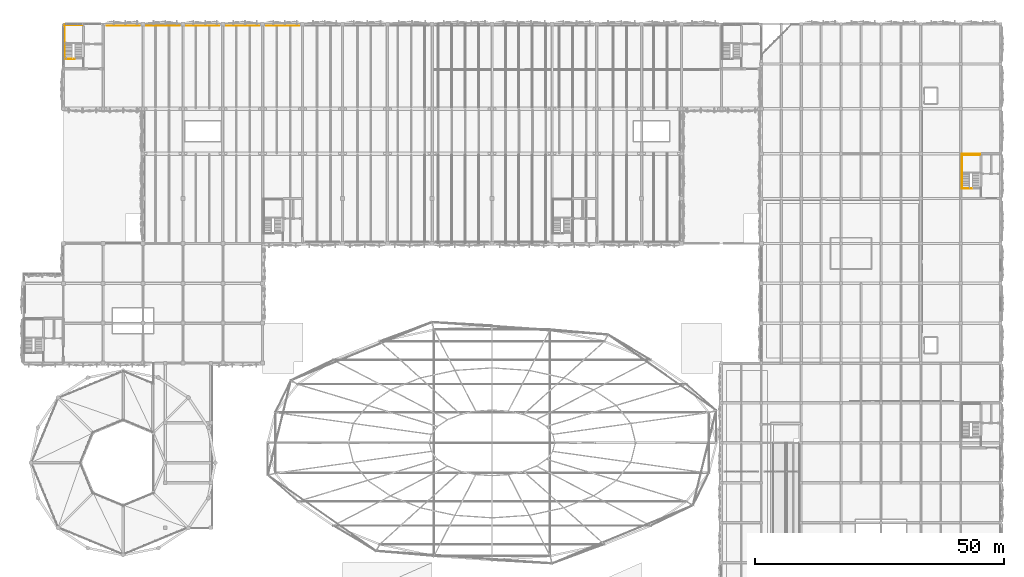
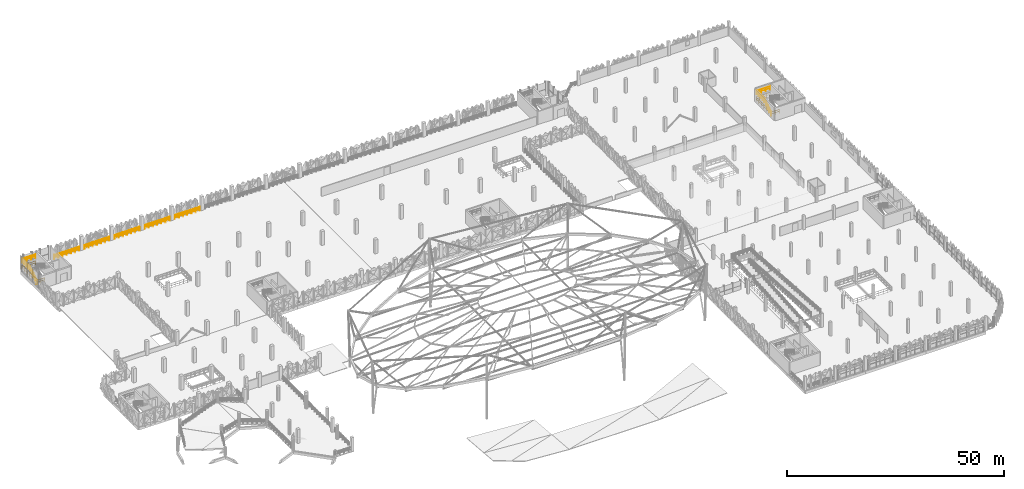
# One storey, part 94 of 96: 9 railings.
"""IFC4 building model written with IfcOpenShell, lengths in metres."""

from ifc_helpers import new_model, si_unit, derived_unit, direction, frame, origin, origin_2d, place, context, subcontext, project, spatial, circle, extrude, material, type_object, element, save


model = new_model("IFC4")

# Units and contexts
model_context = context("Model", 3, precision=1e-05, world=origin(), true_north=direction((0.0, 1.0)))
body_context = subcontext(model_context, "Body", "Model", "MODEL_VIEW")
ifc_project = project(units=[si_unit("LENGTHUNIT", "METRE"), si_unit("AREAUNIT", "SQUARE_METRE"), si_unit("VOLUMEUNIT", "CUBIC_METRE"), si_unit("PLANEANGLEUNIT", "RADIAN"), si_unit("MASSUNIT", "GRAM", prefix="KILO"), si_unit("THERMODYNAMICTEMPERATUREUNIT", "KELVIN"), derived_unit("THERMALTRANSMITTANCEUNIT", [(si_unit("POWERUNIT", "WATT"), 1), (si_unit("AREAUNIT", "SQUARE_METRE"), -1), (si_unit("THERMODYNAMICTEMPERATUREUNIT", "KELVIN"), -1)])], contexts=[model_context])

# Site, building, storey
site_placement = place(None, origin())
site = spatial("IfcSite", under=ifc_project, at=site_placement, CompositionType="ELEMENT")
building_placement = place(site_placement, origin())
building = spatial("IfcBuilding", under=site, at=building_placement, Name="Haiyu Intermodal Mobility Hub", CompositionType="ELEMENT")
storey_placement = place(building_placement, frame((0.0, 0.0, 9.5)))
storey = spatial("IfcBuildingStorey", under=building, at=storey_placement, Name="L02", CompositionType="ELEMENT", Elevation=9.5)

# Railings
ifc_material = material(Name="Steel Q355C", Category="steel")
railing_type_1 = type_object("IfcRailingType", Name="RAL-GR01", PredefinedType="GUARDRAIL", material=ifc_material)
railing_1_placement = place(storey_placement, frame((37.300048828125, 147.659912109375, 0.0)))
element("IfcRailing", 1, at=railing_1_placement, inside=storey, type_object=railing_type_1, Name="RAL-CAR-N-0010", PredefinedType="GUARDRAIL", context=body_context, shape_type="SweptSolid", body=[
    extrude(circle(Radius=0.02392578125, at=origin_2d()), frame((-0.030029296875, 0.0, 1.17578125), z_axis=(-1.0, 0.0, 0.0), x_axis=(0.0, -1.0, 0.0)), (0.0, 0.0, 1.0), 6.5400390625),
    extrude(circle(Radius=0.02392578125, at=origin_2d()), frame((-0.037353515625, 0.0, 0.60009765625), z_axis=(-1.0, 0.0, 0.0), x_axis=(0.0, -1.0, 0.0)), (0.0, 0.0, 1.0), 1.025390625),
    extrude(circle(Radius=0.02392578125, at=origin_2d()), frame((-1.13720703125, 0.0, 0.60009765625), z_axis=(-1.0, 0.0, 0.0), x_axis=(0.0, -1.0, 0.0)), (0.0, 0.0, 1.0), 1.025390625),
    extrude(circle(Radius=0.02392578125, at=origin_2d()), frame((-2.2373046875, 0.0, 0.60009765625), z_axis=(-1.0, 0.0, 0.0), x_axis=(0.0, -1.0, 0.0)), (0.0, 0.0, 1.0), 1.025390625),
    extrude(circle(Radius=0.02392578125, at=origin_2d()), frame((-3.33740234375, 0.0, 0.60009765625), z_axis=(-1.0, 0.0, 0.0), x_axis=(0.0, -1.0, 0.0)), (0.0, 0.0, 1.0), 1.025390625),
    extrude(circle(Radius=0.02392578125, at=origin_2d()), frame((-4.437255859375, 0.0, 0.60009765625), z_axis=(-1.0, 0.0, 0.0), x_axis=(0.0, -1.0, 0.0)), (0.0, 0.0, 1.0), 1.025390625),
    extrude(circle(Radius=0.02392578125, at=origin_2d()), frame((-5.537353515625, 0.0, 0.60009765625), z_axis=(-1.0, 0.0, 0.0), x_axis=(0.0, -1.0, 0.0)), (0.0, 0.0, 1.0), 1.025390625),
    extrude(circle(Radius=0.02099609375, at=origin_2d()), origin(), (0.0, 0.0, 1.0), 1.143798828125),
    extrude(circle(Radius=0.02099609375, at=origin_2d()), frame((-1.10009765625, 0.0, 0.0)), (0.0, 0.0, 1.0), 1.143798828125),
    extrude(circle(Radius=0.02099609375, at=origin_2d()), frame((-2.199951171875, 0.0, 0.0)), (0.0, 0.0, 1.0), 1.143798828125),
    extrude(circle(Radius=0.02099609375, at=origin_2d()), frame((-3.300048828125, 0.0, 0.0)), (0.0, 0.0, 1.0), 1.143798828125),
    extrude(circle(Radius=0.02099609375, at=origin_2d()), frame((-4.400146484375, 0.0, 0.0)), (0.0, 0.0, 1.0), 1.143798828125),
    extrude(circle(Radius=0.02099609375, at=origin_2d()), frame((-5.5, 0.0, 0.0)), (0.0, 0.0, 1.0), 1.143798828125),
    extrude(circle(Radius=0.02099609375, at=origin_2d()), frame((-6.60009765625, 0.0, 0.0)), (0.0, 0.0, 1.0), 1.143798828125),
])
railing_2_placement = place(storey_placement, frame((45.300048828125, 147.659912109375, 0.0)))
element("IfcRailing", 2, at=railing_2_placement, inside=storey, type_object=railing_type_1, Name="RAL-CAR-N-0015", PredefinedType="GUARDRAIL", context=body_context, shape_type="SweptSolid", body=[
    extrude(circle(Radius=0.02392578125, at=origin_2d()), frame((-0.030029296875, 0.0, 1.17578125), z_axis=(-1.0, 0.0, 0.0), x_axis=(0.0, -1.0, 0.0)), (0.0, 0.0, 1.0), 6.5400390625),
    extrude(circle(Radius=0.02392578125, at=origin_2d()), frame((-0.037353515625, 0.0, 0.60009765625), z_axis=(-1.0, 0.0, 0.0), x_axis=(0.0, -1.0, 0.0)), (0.0, 0.0, 1.0), 1.025390625),
    extrude(circle(Radius=0.02392578125, at=origin_2d()), frame((-1.13720703125, 0.0, 0.60009765625), z_axis=(-1.0, 0.0, 0.0), x_axis=(0.0, -1.0, 0.0)), (0.0, 0.0, 1.0), 1.025390625),
    extrude(circle(Radius=0.02392578125, at=origin_2d()), frame((-2.2373046875, 0.0, 0.60009765625), z_axis=(-1.0, 0.0, 0.0), x_axis=(0.0, -1.0, 0.0)), (0.0, 0.0, 1.0), 1.025390625),
    extrude(circle(Radius=0.02392578125, at=origin_2d()), frame((-3.33740234375, 0.0, 0.60009765625), z_axis=(-1.0, 0.0, 0.0), x_axis=(0.0, -1.0, 0.0)), (0.0, 0.0, 1.0), 1.025390625),
    extrude(circle(Radius=0.02392578125, at=origin_2d()), frame((-4.437255859375, 0.0, 0.60009765625), z_axis=(-1.0, 0.0, 0.0), x_axis=(0.0, -1.0, 0.0)), (0.0, 0.0, 1.0), 1.025390625),
    extrude(circle(Radius=0.02392578125, at=origin_2d()), frame((-5.537353515625, 0.0, 0.60009765625), z_axis=(-1.0, 0.0, 0.0), x_axis=(0.0, -1.0, 0.0)), (0.0, 0.0, 1.0), 1.025390625),
    extrude(circle(Radius=0.02099609375, at=origin_2d()), origin(), (0.0, 0.0, 1.0), 1.143798828125),
    extrude(circle(Radius=0.02099609375, at=origin_2d()), frame((-1.10009765625, 0.0, 0.0)), (0.0, 0.0, 1.0), 1.143798828125),
    extrude(circle(Radius=0.02099609375, at=origin_2d()), frame((-2.199951171875, 0.0, 0.0)), (0.0, 0.0, 1.0), 1.143798828125),
    extrude(circle(Radius=0.02099609375, at=origin_2d()), frame((-3.300048828125, 0.0, 0.0)), (0.0, 0.0, 1.0), 1.143798828125),
    extrude(circle(Radius=0.02099609375, at=origin_2d()), frame((-4.400146484375, 0.0, 0.0)), (0.0, 0.0, 1.0), 1.143798828125),
    extrude(circle(Radius=0.02099609375, at=origin_2d()), frame((-5.5, 0.0, 0.0)), (0.0, 0.0, 1.0), 1.143798828125),
    extrude(circle(Radius=0.02099609375, at=origin_2d()), frame((-6.60009765625, 0.0, 0.0)), (0.0, 0.0, 1.0), 1.143798828125),
])
railing_3_placement = place(storey_placement, frame((53.300048828125, 147.659912109375, 0.0)))
element("IfcRailing", 3, at=railing_3_placement, inside=storey, type_object=railing_type_1, Name="RAL-CAR-N-0021", PredefinedType="GUARDRAIL", context=body_context, shape_type="SweptSolid", body=[
    extrude(circle(Radius=0.02392578125, at=origin_2d()), frame((-0.030029296875, 0.0, 1.17578125), z_axis=(-1.0, 0.0, 0.0), x_axis=(0.0, -1.0, 0.0)), (0.0, 0.0, 1.0), 6.5400390625),
    extrude(circle(Radius=0.02392578125, at=origin_2d()), frame((-0.037353515625, 0.0, 0.60009765625), z_axis=(-1.0, 0.0, 0.0), x_axis=(0.0, -1.0, 0.0)), (0.0, 0.0, 1.0), 1.025390625),
    extrude(circle(Radius=0.02392578125, at=origin_2d()), frame((-1.13720703125, 0.0, 0.60009765625), z_axis=(-1.0, 0.0, 0.0), x_axis=(0.0, -1.0, 0.0)), (0.0, 0.0, 1.0), 1.025390625),
    extrude(circle(Radius=0.02392578125, at=origin_2d()), frame((-2.2373046875, 0.0, 0.60009765625), z_axis=(-1.0, 0.0, 0.0), x_axis=(0.0, -1.0, 0.0)), (0.0, 0.0, 1.0), 1.025390625),
    extrude(circle(Radius=0.02392578125, at=origin_2d()), frame((-3.33740234375, 0.0, 0.60009765625), z_axis=(-1.0, 0.0, 0.0), x_axis=(0.0, -1.0, 0.0)), (0.0, 0.0, 1.0), 1.025390625),
    extrude(circle(Radius=0.02392578125, at=origin_2d()), frame((-4.437255859375, 0.0, 0.60009765625), z_axis=(-1.0, 0.0, 0.0), x_axis=(0.0, -1.0, 0.0)), (0.0, 0.0, 1.0), 1.025390625),
    extrude(circle(Radius=0.02392578125, at=origin_2d()), frame((-5.537353515625, 0.0, 0.60009765625), z_axis=(-1.0, 0.0, 0.0), x_axis=(0.0, -1.0, 0.0)), (0.0, 0.0, 1.0), 1.025390625),
    extrude(circle(Radius=0.02099609375, at=origin_2d()), origin(), (0.0, 0.0, 1.0), 1.143798828125),
    extrude(circle(Radius=0.02099609375, at=origin_2d()), frame((-1.10009765625, 0.0, 0.0)), (0.0, 0.0, 1.0), 1.143798828125),
    extrude(circle(Radius=0.02099609375, at=origin_2d()), frame((-2.199951171875, 0.0, 0.0)), (0.0, 0.0, 1.0), 1.143798828125),
    extrude(circle(Radius=0.02099609375, at=origin_2d()), frame((-3.300048828125, 0.0, 0.0)), (0.0, 0.0, 1.0), 1.143798828125),
    extrude(circle(Radius=0.02099609375, at=origin_2d()), frame((-4.400146484375, 0.0, 0.0)), (0.0, 0.0, 1.0), 1.143798828125),
    extrude(circle(Radius=0.02099609375, at=origin_2d()), frame((-5.5, 0.0, 0.0)), (0.0, 0.0, 1.0), 1.143798828125),
    extrude(circle(Radius=0.02099609375, at=origin_2d()), frame((-6.60009765625, 0.0, 0.0)), (0.0, 0.0, 1.0), 1.143798828125),
])
railing_4_placement = place(storey_placement, frame((61.300048828125, 147.659912109375, 0.0)))
element("IfcRailing", 4, at=railing_4_placement, inside=storey, type_object=railing_type_1, Name="RAL-CAR-N-0026", PredefinedType="GUARDRAIL", context=body_context, shape_type="SweptSolid", body=[
    extrude(circle(Radius=0.02392578125, at=origin_2d()), frame((-0.030029296875, 0.0, 1.17578125), z_axis=(-1.0, 0.0, 0.0), x_axis=(0.0, -1.0, 0.0)), (0.0, 0.0, 1.0), 6.5400390625),
    extrude(circle(Radius=0.02392578125, at=origin_2d()), frame((-0.037353515625, 0.0, 0.60009765625), z_axis=(-1.0, 0.0, 0.0), x_axis=(0.0, -1.0, 0.0)), (0.0, 0.0, 1.0), 1.025390625),
    extrude(circle(Radius=0.02392578125, at=origin_2d()), frame((-1.13720703125, 0.0, 0.60009765625), z_axis=(-1.0, 0.0, 0.0), x_axis=(0.0, -1.0, 0.0)), (0.0, 0.0, 1.0), 1.025390625),
    extrude(circle(Radius=0.02392578125, at=origin_2d()), frame((-2.2373046875, 0.0, 0.60009765625), z_axis=(-1.0, 0.0, 0.0), x_axis=(0.0, -1.0, 0.0)), (0.0, 0.0, 1.0), 1.025390625),
    extrude(circle(Radius=0.02392578125, at=origin_2d()), frame((-3.33740234375, 0.0, 0.60009765625), z_axis=(-1.0, 0.0, 0.0), x_axis=(0.0, -1.0, 0.0)), (0.0, 0.0, 1.0), 1.025390625),
    extrude(circle(Radius=0.02392578125, at=origin_2d()), frame((-4.437255859375, 0.0, 0.60009765625), z_axis=(-1.0, 0.0, 0.0), x_axis=(0.0, -1.0, 0.0)), (0.0, 0.0, 1.0), 1.025390625),
    extrude(circle(Radius=0.02392578125, at=origin_2d()), frame((-5.537353515625, 0.0, 0.60009765625), z_axis=(-1.0, 0.0, 0.0), x_axis=(0.0, -1.0, 0.0)), (0.0, 0.0, 1.0), 1.025390625),
    extrude(circle(Radius=0.02099609375, at=origin_2d()), origin(), (0.0, 0.0, 1.0), 1.143798828125),
    extrude(circle(Radius=0.02099609375, at=origin_2d()), frame((-1.10009765625, 0.0, 0.0)), (0.0, 0.0, 1.0), 1.143798828125),
    extrude(circle(Radius=0.02099609375, at=origin_2d()), frame((-2.199951171875, 0.0, 0.0)), (0.0, 0.0, 1.0), 1.143798828125),
    extrude(circle(Radius=0.02099609375, at=origin_2d()), frame((-3.300048828125, 0.0, 0.0)), (0.0, 0.0, 1.0), 1.143798828125),
    extrude(circle(Radius=0.02099609375, at=origin_2d()), frame((-4.400146484375, 0.0, 0.0)), (0.0, 0.0, 1.0), 1.143798828125),
    extrude(circle(Radius=0.02099609375, at=origin_2d()), frame((-5.5, 0.0, 0.0)), (0.0, 0.0, 1.0), 1.143798828125),
    extrude(circle(Radius=0.02099609375, at=origin_2d()), frame((-6.60009765625, 0.0, 0.0)), (0.0, 0.0, 1.0), 1.143798828125),
])
railing_5_placement = place(storey_placement, frame((69.300048828125, 147.659912109375, 0.0)))
element("IfcRailing", 5, at=railing_5_placement, inside=storey, type_object=railing_type_1, Name="RAL-CAR-N-0031", PredefinedType="GUARDRAIL", context=body_context, shape_type="SweptSolid", body=[
    extrude(circle(Radius=0.02392578125, at=origin_2d()), frame((-0.030029296875, 0.0, 1.17578125), z_axis=(-1.0, 0.0, 0.0), x_axis=(0.0, -1.0, 0.0)), (0.0, 0.0, 1.0), 6.5400390625),
    extrude(circle(Radius=0.02392578125, at=origin_2d()), frame((-0.037353515625, 0.0, 0.60009765625), z_axis=(-1.0, 0.0, 0.0), x_axis=(0.0, -1.0, 0.0)), (0.0, 0.0, 1.0), 1.025390625),
    extrude(circle(Radius=0.02392578125, at=origin_2d()), frame((-1.13720703125, 0.0, 0.60009765625), z_axis=(-1.0, 0.0, 0.0), x_axis=(0.0, -1.0, 0.0)), (0.0, 0.0, 1.0), 1.025390625),
    extrude(circle(Radius=0.02392578125, at=origin_2d()), frame((-2.2373046875, 0.0, 0.60009765625), z_axis=(-1.0, 0.0, 0.0), x_axis=(0.0, -1.0, 0.0)), (0.0, 0.0, 1.0), 1.025390625),
    extrude(circle(Radius=0.02392578125, at=origin_2d()), frame((-3.33740234375, 0.0, 0.60009765625), z_axis=(-1.0, 0.0, 0.0), x_axis=(0.0, -1.0, 0.0)), (0.0, 0.0, 1.0), 1.025390625),
    extrude(circle(Radius=0.02392578125, at=origin_2d()), frame((-4.437255859375, 0.0, 0.60009765625), z_axis=(-1.0, 0.0, 0.0), x_axis=(0.0, -1.0, 0.0)), (0.0, 0.0, 1.0), 1.025390625),
    extrude(circle(Radius=0.02392578125, at=origin_2d()), frame((-5.537353515625, 0.0, 0.60009765625), z_axis=(-1.0, 0.0, 0.0), x_axis=(0.0, -1.0, 0.0)), (0.0, 0.0, 1.0), 1.025390625),
    extrude(circle(Radius=0.02099609375, at=origin_2d()), origin(), (0.0, 0.0, 1.0), 1.143798828125),
    extrude(circle(Radius=0.02099609375, at=origin_2d()), frame((-1.10009765625, 0.0, 0.0)), (0.0, 0.0, 1.0), 1.143798828125),
    extrude(circle(Radius=0.02099609375, at=origin_2d()), frame((-2.199951171875, 0.0, 0.0)), (0.0, 0.0, 1.0), 1.143798828125),
    extrude(circle(Radius=0.02099609375, at=origin_2d()), frame((-3.300048828125, 0.0, 0.0)), (0.0, 0.0, 1.0), 1.143798828125),
    extrude(circle(Radius=0.02099609375, at=origin_2d()), frame((-4.400146484375, 0.0, 0.0)), (0.0, 0.0, 1.0), 1.143798828125),
    extrude(circle(Radius=0.02099609375, at=origin_2d()), frame((-5.5, 0.0, 0.0)), (0.0, 0.0, 1.0), 1.143798828125),
    extrude(circle(Radius=0.02099609375, at=origin_2d()), frame((-6.60009765625, 0.0, 0.0)), (0.0, 0.0, 1.0), 1.143798828125),
])
railing_type_2 = type_object("IfcRailingType", Name="RAL-GR03", PredefinedType="GUARDRAIL", material=ifc_material)
railing_6_placement = place(storey_placement, frame((24.31005859375, 141.010009765625, 0.0)))
element("IfcRailing", 6, at=railing_6_placement, inside=storey, type_object=railing_type_2, Name="Stair Shaft Floor Guard STR-C3-L01", PredefinedType="GUARDRAIL", context=body_context, shape_type="SweptSolid", body=[
    extrude(circle(Radius=0.02392578125, at=origin_2d()), frame((-0.030029296875, 0.0, 1.09619140625), z_axis=(-1.0, 0.0, 0.0), x_axis=(0.0, -1.0, 0.0)), (0.0, 0.0, 1.0), 2.030029296875),
    extrude(circle(Radius=0.02392578125, at=origin_2d()), frame((-0.037353515625, 0.0, 0.56005859375), z_axis=(-1.0, 0.0, 0.0), x_axis=(0.0, -1.0, 0.0)), (0.0, 0.0, 1.0), 0.970458984375),
    extrude(circle(Radius=0.02392578125, at=origin_2d()), frame((-1.082275390625, 0.0, 0.56005859375), z_axis=(-1.0, 0.0, 0.0), x_axis=(0.0, -1.0, 0.0)), (0.0, 0.0, 1.0), 0.970458984375),
    extrude(circle(Radius=0.02392578125, at=origin_2d()), frame((-2.090087890625, 0.030029296875, 1.09619140625), z_axis=(0.0, 1.0, 0.0), x_axis=(-1.0, 0.0, 0.0)), (0.0, 0.0, 1.0), 6.8798828125),
    extrude(circle(Radius=0.02392578125, at=origin_2d()), frame((-2.090087890625, 0.037353515625, 0.56005859375), z_axis=(0.0, 1.0, 0.0), x_axis=(-1.0, 0.0, 0.0)), (0.0, 0.0, 1.0), 1.08203125),
    extrude(circle(Radius=0.02392578125, at=origin_2d()), frame((-2.090087890625, 1.19384765625, 0.56005859375), z_axis=(0.0, 1.0, 0.0), x_axis=(-1.0, 0.0, 0.0)), (0.0, 0.0, 1.0), 1.08203125),
    extrude(circle(Radius=0.02392578125, at=origin_2d()), frame((-2.090087890625, 2.3505859375, 0.56005859375), z_axis=(0.0, 1.0, 0.0), x_axis=(-1.0, 0.0, 0.0)), (0.0, 0.0, 1.0), 1.08203125),
    extrude(circle(Radius=0.02392578125, at=origin_2d()), frame((-2.090087890625, 3.50732421875, 0.56005859375), z_axis=(0.0, 1.0, 0.0), x_axis=(-1.0, 0.0, 0.0)), (0.0, 0.0, 1.0), 1.08203125),
    extrude(circle(Radius=0.02392578125, at=origin_2d()), frame((-2.090087890625, 4.663818359375, 0.56005859375), z_axis=(0.0, 1.0, 0.0), x_axis=(-1.0, 0.0, 0.0)), (0.0, 0.0, 1.0), 1.08203125),
    extrude(circle(Radius=0.02392578125, at=origin_2d()), frame((-2.090087890625, 5.820556640625, 0.56005859375), z_axis=(0.0, 1.0, 0.0), x_axis=(-1.0, 0.0, 0.0)), (0.0, 0.0, 1.0), 1.08203125),
    extrude(circle(Radius=0.02392578125, at=origin_2d()), frame((-2.06005859375, 6.93994140625, 1.09619140625), z_axis=(1.0, 0.0, 0.0), x_axis=(0.0, 1.0, 0.0)), (0.0, 0.0, 1.0), 3.590087890625),
    extrude(circle(Radius=0.02392578125, at=origin_2d()), frame((-2.052734375, 6.93994140625, 0.56005859375), z_axis=(1.0, 0.0, 0.0), x_axis=(0.0, 1.0, 0.0)), (0.0, 0.0, 1.0), 0.837890625),
    extrude(circle(Radius=0.02392578125, at=origin_2d()), frame((-1.14013671875, 6.93994140625, 0.56005859375), z_axis=(1.0, 0.0, 0.0), x_axis=(0.0, 1.0, 0.0)), (0.0, 0.0, 1.0), 0.837890625),
    extrude(circle(Radius=0.02392578125, at=origin_2d()), frame((-0.227783203125, 6.93994140625, 0.56005859375), z_axis=(1.0, 0.0, 0.0), x_axis=(0.0, 1.0, 0.0)), (0.0, 0.0, 1.0), 0.837890625),
    extrude(circle(Radius=0.02392578125, at=origin_2d()), frame((0.684814453125, 6.93994140625, 0.56005859375), z_axis=(1.0, 0.0, 0.0), x_axis=(0.0, 1.0, 0.0)), (0.0, 0.0, 1.0), 0.837890625),
    extrude(circle(Radius=0.02099609375, at=origin_2d()), origin(), (0.0, 0.0, 1.0), 1.06396484375),
    extrude(circle(Radius=0.02099609375, at=origin_2d()), frame((-1.044921875, 0.0, 0.0)), (0.0, 0.0, 1.0), 1.06396484375),
    extrude(circle(Radius=0.02099609375, at=origin_2d()), frame((-2.090087890625, 0.0, 0.0)), (0.0, 0.0, 1.0), 1.06396484375),
    extrude(circle(Radius=0.02099609375, at=origin_2d()), frame((-2.090087890625, 1.15673828125, 0.0)), (0.0, 0.0, 1.0), 1.06396484375),
    extrude(circle(Radius=0.02099609375, at=origin_2d()), frame((-2.090087890625, 2.313232421875, 0.0)), (0.0, 0.0, 1.0), 1.06396484375),
    extrude(circle(Radius=0.02099609375, at=origin_2d()), frame((-2.090087890625, 3.469970703125, 0.0)), (0.0, 0.0, 1.0), 1.06396484375),
    extrude(circle(Radius=0.02099609375, at=origin_2d()), frame((-2.090087890625, 4.626708984375, 0.0)), (0.0, 0.0, 1.0), 1.06396484375),
    extrude(circle(Radius=0.02099609375, at=origin_2d()), frame((-2.090087890625, 5.783203125, 0.0)), (0.0, 0.0, 1.0), 1.06396484375),
    extrude(circle(Radius=0.02099609375, at=origin_2d()), frame((-2.090087890625, 6.93994140625, 0.0)), (0.0, 0.0, 1.0), 1.06396484375),
    extrude(circle(Radius=0.02099609375, at=origin_2d()), frame((-1.177490234375, 6.93994140625, 0.0)), (0.0, 0.0, 1.0), 1.06396484375),
    extrude(circle(Radius=0.02099609375, at=origin_2d()), frame((-0.26513671875, 6.93994140625, 0.0)), (0.0, 0.0, 1.0), 1.06396484375),
    extrude(circle(Radius=0.02099609375, at=origin_2d()), frame((0.6474609375, 6.93994140625, 0.0)), (0.0, 0.0, 1.0), 1.06396484375),
    extrude(circle(Radius=0.02099609375, at=origin_2d()), frame((1.56005859375, 6.93994140625, 0.0)), (0.0, 0.0, 1.0), 1.06396484375),
])
railing_7_placement = place(storey_placement, frame((22.25, 141.050048828125, 0.0)))
element("IfcRailing", 7, at=railing_7_placement, inside=storey, type_object=railing_type_2, Name="Stair Outer Guard STR-C3-L02", PredefinedType="GUARDRAIL", context=body_context, shape_type="SweptSolid", body=[
    extrude(circle(Radius=0.02392578125, at=origin_2d()), frame((0.0, 0.025390625, 1.112060546875), z_axis=(0.0, 0.844894753029, 0.534932571736), x_axis=(-1.0, 0.0, 0.0)), (0.0, 0.0, 1.0), 3.585205078125),
    extrude(circle(Radius=0.02392578125, at=origin_2d()), frame((0.0, 0.031494140625, 0.580078125), z_axis=(0.0, 0.844894753029, 0.534932571736), x_axis=(-1.0, 0.0, 0.0)), (0.0, 0.0, 1.0), 0.836669921875),
    extrude(circle(Radius=0.02392578125, at=origin_2d()), frame((0.0, 0.801513671875, 1.0673828125), z_axis=(0.0, 0.844894753029, 0.534932571736), x_axis=(-1.0, 0.0, 0.0)), (0.0, 0.0, 1.0), 0.836669921875),
    extrude(circle(Radius=0.02392578125, at=origin_2d()), frame((0.0, 1.571533203125, 1.554931640625), z_axis=(0.0, 0.844894753029, 0.534932571736), x_axis=(-1.0, 0.0, 0.0)), (0.0, 0.0, 1.0), 0.836669921875),
    extrude(circle(Radius=0.02392578125, at=origin_2d()), frame((0.0, 2.34130859375, 2.04248046875), z_axis=(0.0, 0.844894753029, 0.534932571736), x_axis=(-1.0, 0.0, 0.0)), (0.0, 0.0, 1.0), 0.836669921875),
    extrude(circle(Radius=0.02392578125, at=origin_2d()), frame((0.0, 3.10986328125, 3.0458984375), z_axis=(0.0, 1.0, 0.0), x_axis=(-1.0, 0.0, 0.0)), (0.0, 0.0, 1.0), 3.570068359375),
    extrude(circle(Radius=0.02392578125, at=origin_2d()), frame((0.0, 3.1171875, 2.510009765625), z_axis=(0.0, 1.0, 0.0), x_axis=(-1.0, 0.0, 0.0)), (0.0, 0.0, 1.0), 0.8330078125),
    extrude(circle(Radius=0.02392578125, at=origin_2d()), frame((0.0, 4.024658203125, 2.510009765625), z_axis=(0.0, 1.0, 0.0), x_axis=(-1.0, 0.0, 0.0)), (0.0, 0.0, 1.0), 0.8330078125),
    extrude(circle(Radius=0.02392578125, at=origin_2d()), frame((0.0, 4.93212890625, 2.510009765625), z_axis=(0.0, 1.0, 0.0), x_axis=(-1.0, 0.0, 0.0)), (0.0, 0.0, 1.0), 0.8330078125),
    extrude(circle(Radius=0.02392578125, at=origin_2d()), frame((0.0, 5.83984375, 2.510009765625), z_axis=(0.0, 1.0, 0.0), x_axis=(-1.0, 0.0, 0.0)), (0.0, 0.0, 1.0), 0.8330078125),
    extrude(circle(Radius=0.02392578125, at=origin_2d()), frame((0.030029296875, 6.7099609375, 3.0458984375), z_axis=(1.0, 0.0, 0.0), x_axis=(0.0, 1.0, 0.0)), (0.0, 0.0, 1.0), 3.52001953125),
    extrude(circle(Radius=0.02392578125, at=origin_2d()), frame((0.037353515625, 6.7099609375, 2.510009765625), z_axis=(1.0, 0.0, 0.0), x_axis=(0.0, 1.0, 0.0)), (0.0, 0.0, 1.0), 1.11865234375),
    extrude(circle(Radius=0.02392578125, at=origin_2d()), frame((1.230712890625, 6.7099609375, 2.510009765625), z_axis=(1.0, 0.0, 0.0), x_axis=(0.0, 1.0, 0.0)), (0.0, 0.0, 1.0), 1.11865234375),
    extrude(circle(Radius=0.02392578125, at=origin_2d()), frame((2.424072265625, 6.7099609375, 2.510009765625), z_axis=(1.0, 0.0, 0.0), x_axis=(0.0, 1.0, 0.0)), (0.0, 0.0, 1.0), 1.11865234375),
    extrude(circle(Radius=0.02099609375, at=origin_2d()), origin(), (0.0, 0.0, 1.0), 1.06396484375),
    extrude(circle(Radius=0.02099609375, at=origin_2d()), frame((0.0, 0.77001953125, 0.487548828125)), (0.0, 0.0, 1.0), 1.06396484375),
    extrude(circle(Radius=0.02099609375, at=origin_2d()), frame((0.0, 1.5400390625, 0.97509765625)), (0.0, 0.0, 1.0), 1.06396484375),
    extrude(circle(Radius=0.02099609375, at=origin_2d()), frame((0.0, 2.309814453125, 1.46240234375)), (0.0, 0.0, 1.0), 1.06396484375),
    extrude(circle(Radius=0.02099609375, at=origin_2d()), frame((0.0, 3.079833984375, 1.949951171875)), (0.0, 0.0, 1.0), 1.06396484375),
    extrude(circle(Radius=0.02099609375, at=origin_2d()), frame((0.0, 3.9873046875, 1.949951171875)), (0.0, 0.0, 1.0), 1.06396484375),
    extrude(circle(Radius=0.02099609375, at=origin_2d()), frame((0.0, 4.89501953125, 1.949951171875)), (0.0, 0.0, 1.0), 1.06396484375),
    extrude(circle(Radius=0.02099609375, at=origin_2d()), frame((0.0, 5.802490234375, 1.949951171875)), (0.0, 0.0, 1.0), 1.06396484375),
    extrude(circle(Radius=0.02099609375, at=origin_2d()), frame((0.0, 6.7099609375, 1.949951171875)), (0.0, 0.0, 1.0), 1.06396484375),
    extrude(circle(Radius=0.02099609375, at=origin_2d()), frame((1.193359375, 6.7099609375, 1.949951171875)), (0.0, 0.0, 1.0), 1.06396484375),
    extrude(circle(Radius=0.02099609375, at=origin_2d()), frame((2.38671875, 6.7099609375, 1.949951171875)), (0.0, 0.0, 1.0), 1.06396484375),
    extrude(circle(Radius=0.02099609375, at=origin_2d()), frame((3.580078125, 6.7099609375, 1.949951171875)), (0.0, 0.0, 1.0), 1.06396484375),
])
railing_8_placement = place(storey_placement, frame((204.31005859375, 115.010009765625, 0.0)))
element("IfcRailing", 8, at=railing_8_placement, inside=storey, type_object=railing_type_2, Name="Stair Shaft Floor Guard STR-C10-L01", PredefinedType="GUARDRAIL", context=body_context, shape_type="SweptSolid", body=[
    extrude(circle(Radius=0.02392578125, at=origin_2d()), frame((-0.030029296875, 0.0, 1.09619140625), z_axis=(-1.0, 0.0, 0.0), x_axis=(0.0, -1.0, 0.0)), (0.0, 0.0, 1.0), 2.030029296875),
    extrude(circle(Radius=0.02392578125, at=origin_2d()), frame((-0.037353515625, 0.0, 0.56005859375), z_axis=(-1.0, 0.0, 0.0), x_axis=(0.0, -1.0, 0.0)), (0.0, 0.0, 1.0), 0.970458984375),
    extrude(circle(Radius=0.02392578125, at=origin_2d()), frame((-1.082275390625, 0.0, 0.56005859375), z_axis=(-1.0, 0.0, 0.0), x_axis=(0.0, -1.0, 0.0)), (0.0, 0.0, 1.0), 0.970458984375),
    extrude(circle(Radius=0.02392578125, at=origin_2d()), frame((-2.090087890625, 0.030029296875, 1.09619140625), z_axis=(0.0, 1.0, 0.0), x_axis=(-1.0, 0.0, 0.0)), (0.0, 0.0, 1.0), 6.8798828125),
    extrude(circle(Radius=0.02392578125, at=origin_2d()), frame((-2.090087890625, 0.037353515625, 0.56005859375), z_axis=(0.0, 1.0, 0.0), x_axis=(-1.0, 0.0, 0.0)), (0.0, 0.0, 1.0), 1.08203125),
    extrude(circle(Radius=0.02392578125, at=origin_2d()), frame((-2.090087890625, 1.19384765625, 0.56005859375), z_axis=(0.0, 1.0, 0.0), x_axis=(-1.0, 0.0, 0.0)), (0.0, 0.0, 1.0), 1.08203125),
    extrude(circle(Radius=0.02392578125, at=origin_2d()), frame((-2.090087890625, 2.3505859375, 0.56005859375), z_axis=(0.0, 1.0, 0.0), x_axis=(-1.0, 0.0, 0.0)), (0.0, 0.0, 1.0), 1.08203125),
    extrude(circle(Radius=0.02392578125, at=origin_2d()), frame((-2.090087890625, 3.50732421875, 0.56005859375), z_axis=(0.0, 1.0, 0.0), x_axis=(-1.0, 0.0, 0.0)), (0.0, 0.0, 1.0), 1.08203125),
    extrude(circle(Radius=0.02392578125, at=origin_2d()), frame((-2.090087890625, 4.663818359375, 0.56005859375), z_axis=(0.0, 1.0, 0.0), x_axis=(-1.0, 0.0, 0.0)), (0.0, 0.0, 1.0), 1.08203125),
    extrude(circle(Radius=0.02392578125, at=origin_2d()), frame((-2.090087890625, 5.820556640625, 0.56005859375), z_axis=(0.0, 1.0, 0.0), x_axis=(-1.0, 0.0, 0.0)), (0.0, 0.0, 1.0), 1.08203125),
    extrude(circle(Radius=0.02392578125, at=origin_2d()), frame((-2.06005859375, 6.93994140625, 1.09619140625), z_axis=(1.0, 0.0, 0.0), x_axis=(0.0, 1.0, 0.0)), (0.0, 0.0, 1.0), 3.590087890625),
    extrude(circle(Radius=0.02392578125, at=origin_2d()), frame((-2.052734375, 6.93994140625, 0.56005859375), z_axis=(1.0, 0.0, 0.0), x_axis=(0.0, 1.0, 0.0)), (0.0, 0.0, 1.0), 0.837890625),
    extrude(circle(Radius=0.02392578125, at=origin_2d()), frame((-1.14013671875, 6.93994140625, 0.56005859375), z_axis=(1.0, 0.0, 0.0), x_axis=(0.0, 1.0, 0.0)), (0.0, 0.0, 1.0), 0.837890625),
    extrude(circle(Radius=0.02392578125, at=origin_2d()), frame((-0.227783203125, 6.93994140625, 0.56005859375), z_axis=(1.0, 0.0, 0.0), x_axis=(0.0, 1.0, 0.0)), (0.0, 0.0, 1.0), 0.837890625),
    extrude(circle(Radius=0.02392578125, at=origin_2d()), frame((0.684814453125, 6.93994140625, 0.56005859375), z_axis=(1.0, 0.0, 0.0), x_axis=(0.0, 1.0, 0.0)), (0.0, 0.0, 1.0), 0.837890625),
    extrude(circle(Radius=0.02099609375, at=origin_2d()), origin(), (0.0, 0.0, 1.0), 1.06396484375),
    extrude(circle(Radius=0.02099609375, at=origin_2d()), frame((-1.044921875, 0.0, 0.0)), (0.0, 0.0, 1.0), 1.06396484375),
    extrude(circle(Radius=0.02099609375, at=origin_2d()), frame((-2.090087890625, 0.0, 0.0)), (0.0, 0.0, 1.0), 1.06396484375),
    extrude(circle(Radius=0.02099609375, at=origin_2d()), frame((-2.090087890625, 1.15673828125, 0.0)), (0.0, 0.0, 1.0), 1.06396484375),
    extrude(circle(Radius=0.02099609375, at=origin_2d()), frame((-2.090087890625, 2.313232421875, 0.0)), (0.0, 0.0, 1.0), 1.06396484375),
    extrude(circle(Radius=0.02099609375, at=origin_2d()), frame((-2.090087890625, 3.469970703125, 0.0)), (0.0, 0.0, 1.0), 1.06396484375),
    extrude(circle(Radius=0.02099609375, at=origin_2d()), frame((-2.090087890625, 4.626708984375, 0.0)), (0.0, 0.0, 1.0), 1.06396484375),
    extrude(circle(Radius=0.02099609375, at=origin_2d()), frame((-2.090087890625, 5.783203125, 0.0)), (0.0, 0.0, 1.0), 1.06396484375),
    extrude(circle(Radius=0.02099609375, at=origin_2d()), frame((-2.090087890625, 6.93994140625, 0.0)), (0.0, 0.0, 1.0), 1.06396484375),
    extrude(circle(Radius=0.02099609375, at=origin_2d()), frame((-1.177490234375, 6.93994140625, 0.0)), (0.0, 0.0, 1.0), 1.06396484375),
    extrude(circle(Radius=0.02099609375, at=origin_2d()), frame((-0.26513671875, 6.93994140625, 0.0)), (0.0, 0.0, 1.0), 1.06396484375),
    extrude(circle(Radius=0.02099609375, at=origin_2d()), frame((0.6474609375, 6.93994140625, 0.0)), (0.0, 0.0, 1.0), 1.06396484375),
    extrude(circle(Radius=0.02099609375, at=origin_2d()), frame((1.56005859375, 6.93994140625, 0.0)), (0.0, 0.0, 1.0), 1.06396484375),
])
railing_9_placement = place(storey_placement, frame((202.25, 115.050048828125, 0.0)))
element("IfcRailing", 9, at=railing_9_placement, inside=storey, type_object=railing_type_2, Name="Stair Outer Guard STR-C10-L02", PredefinedType="GUARDRAIL", context=body_context, shape_type="SweptSolid", body=[
    extrude(circle(Radius=0.02392578125, at=origin_2d()), frame((0.0, 0.025390625, 1.112060546875), z_axis=(0.0, 0.844894753029, 0.534932571736), x_axis=(-1.0, 0.0, 0.0)), (0.0, 0.0, 1.0), 3.585205078125),
    extrude(circle(Radius=0.02392578125, at=origin_2d()), frame((0.0, 0.031494140625, 0.580078125), z_axis=(0.0, 0.844894753029, 0.534932571736), x_axis=(-1.0, 0.0, 0.0)), (0.0, 0.0, 1.0), 0.836669921875),
    extrude(circle(Radius=0.02392578125, at=origin_2d()), frame((0.0, 0.801513671875, 1.0673828125), z_axis=(0.0, 0.844894753029, 0.534932571736), x_axis=(-1.0, 0.0, 0.0)), (0.0, 0.0, 1.0), 0.836669921875),
    extrude(circle(Radius=0.02392578125, at=origin_2d()), frame((0.0, 1.571533203125, 1.554931640625), z_axis=(0.0, 0.844894753029, 0.534932571736), x_axis=(-1.0, 0.0, 0.0)), (0.0, 0.0, 1.0), 0.836669921875),
    extrude(circle(Radius=0.02392578125, at=origin_2d()), frame((0.0, 2.34130859375, 2.04248046875), z_axis=(0.0, 0.844894753029, 0.534932571736), x_axis=(-1.0, 0.0, 0.0)), (0.0, 0.0, 1.0), 0.836669921875),
    extrude(circle(Radius=0.02392578125, at=origin_2d()), frame((0.0, 3.10986328125, 3.0458984375), z_axis=(0.0, 1.0, 0.0), x_axis=(-1.0, 0.0, 0.0)), (0.0, 0.0, 1.0), 3.570068359375),
    extrude(circle(Radius=0.02392578125, at=origin_2d()), frame((0.0, 3.1171875, 2.510009765625), z_axis=(0.0, 1.0, 0.0), x_axis=(-1.0, 0.0, 0.0)), (0.0, 0.0, 1.0), 0.8330078125),
    extrude(circle(Radius=0.02392578125, at=origin_2d()), frame((0.0, 4.024658203125, 2.510009765625), z_axis=(0.0, 1.0, 0.0), x_axis=(-1.0, 0.0, 0.0)), (0.0, 0.0, 1.0), 0.8330078125),
    extrude(circle(Radius=0.02392578125, at=origin_2d()), frame((0.0, 4.93212890625, 2.510009765625), z_axis=(0.0, 1.0, 0.0), x_axis=(-1.0, 0.0, 0.0)), (0.0, 0.0, 1.0), 0.8330078125),
    extrude(circle(Radius=0.02392578125, at=origin_2d()), frame((0.0, 5.83984375, 2.510009765625), z_axis=(0.0, 1.0, 0.0), x_axis=(-1.0, 0.0, 0.0)), (0.0, 0.0, 1.0), 0.8330078125),
    extrude(circle(Radius=0.02392578125, at=origin_2d()), frame((0.030029296875, 6.7099609375, 3.0458984375), z_axis=(1.0, 0.0, 0.0), x_axis=(0.0, 1.0, 0.0)), (0.0, 0.0, 1.0), 3.52001953125),
    extrude(circle(Radius=0.02392578125, at=origin_2d()), frame((0.037353515625, 6.7099609375, 2.510009765625), z_axis=(1.0, 0.0, 0.0), x_axis=(0.0, 1.0, 0.0)), (0.0, 0.0, 1.0), 1.11865234375),
    extrude(circle(Radius=0.02392578125, at=origin_2d()), frame((1.230712890625, 6.7099609375, 2.510009765625), z_axis=(1.0, 0.0, 0.0), x_axis=(0.0, 1.0, 0.0)), (0.0, 0.0, 1.0), 1.11865234375),
    extrude(circle(Radius=0.02392578125, at=origin_2d()), frame((2.424072265625, 6.7099609375, 2.510009765625), z_axis=(1.0, 0.0, 0.0), x_axis=(0.0, 1.0, 0.0)), (0.0, 0.0, 1.0), 1.11865234375),
    extrude(circle(Radius=0.02099609375, at=origin_2d()), origin(), (0.0, 0.0, 1.0), 1.06396484375),
    extrude(circle(Radius=0.02099609375, at=origin_2d()), frame((0.0, 0.77001953125, 0.487548828125)), (0.0, 0.0, 1.0), 1.06396484375),
    extrude(circle(Radius=0.02099609375, at=origin_2d()), frame((0.0, 1.5400390625, 0.97509765625)), (0.0, 0.0, 1.0), 1.06396484375),
    extrude(circle(Radius=0.02099609375, at=origin_2d()), frame((0.0, 2.309814453125, 1.46240234375)), (0.0, 0.0, 1.0), 1.06396484375),
    extrude(circle(Radius=0.02099609375, at=origin_2d()), frame((0.0, 3.079833984375, 1.949951171875)), (0.0, 0.0, 1.0), 1.06396484375),
    extrude(circle(Radius=0.02099609375, at=origin_2d()), frame((0.0, 3.9873046875, 1.949951171875)), (0.0, 0.0, 1.0), 1.06396484375),
    extrude(circle(Radius=0.02099609375, at=origin_2d()), frame((0.0, 4.89501953125, 1.949951171875)), (0.0, 0.0, 1.0), 1.06396484375),
    extrude(circle(Radius=0.02099609375, at=origin_2d()), frame((0.0, 5.802490234375, 1.949951171875)), (0.0, 0.0, 1.0), 1.06396484375),
    extrude(circle(Radius=0.02099609375, at=origin_2d()), frame((0.0, 6.7099609375, 1.949951171875)), (0.0, 0.0, 1.0), 1.06396484375),
    extrude(circle(Radius=0.02099609375, at=origin_2d()), frame((1.193359375, 6.7099609375, 1.949951171875)), (0.0, 0.0, 1.0), 1.06396484375),
    extrude(circle(Radius=0.02099609375, at=origin_2d()), frame((2.38671875, 6.7099609375, 1.949951171875)), (0.0, 0.0, 1.0), 1.06396484375),
    extrude(circle(Radius=0.02099609375, at=origin_2d()), frame((3.580078125, 6.7099609375, 1.949951171875)), (0.0, 0.0, 1.0), 1.06396484375),
])

save(model, "model.ifc")
